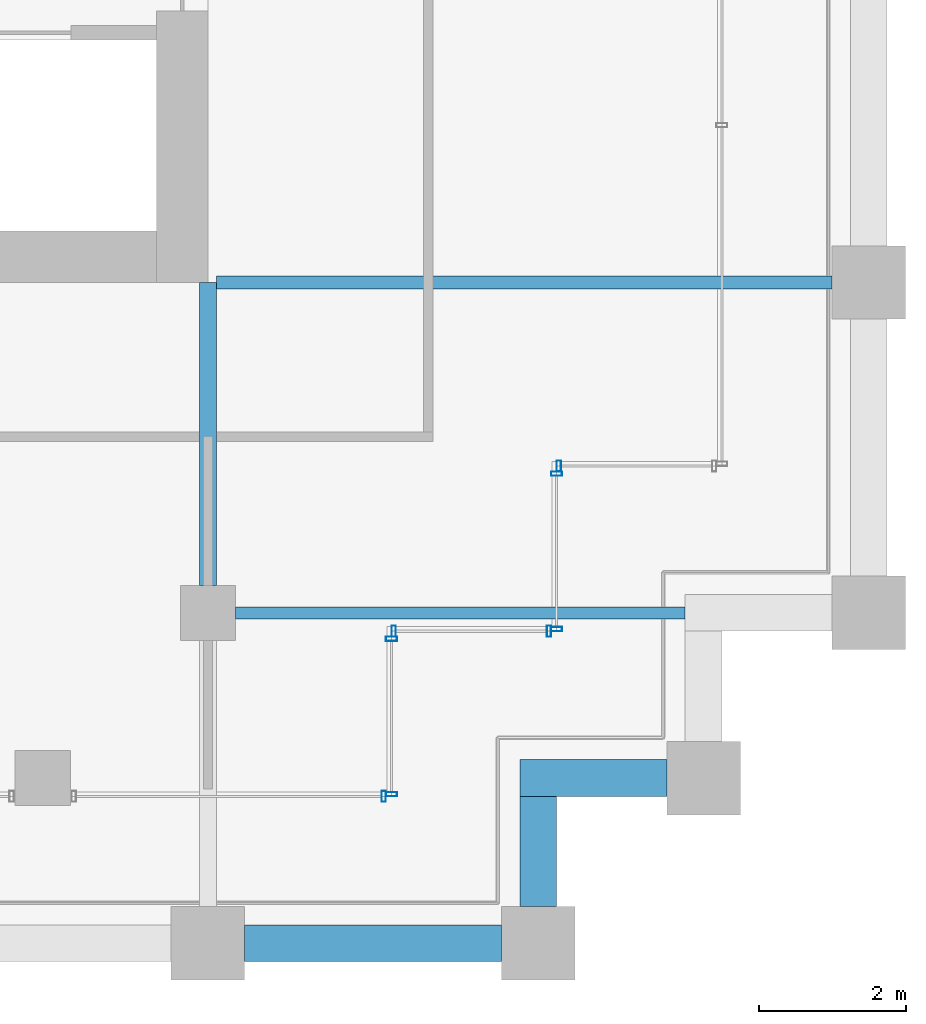
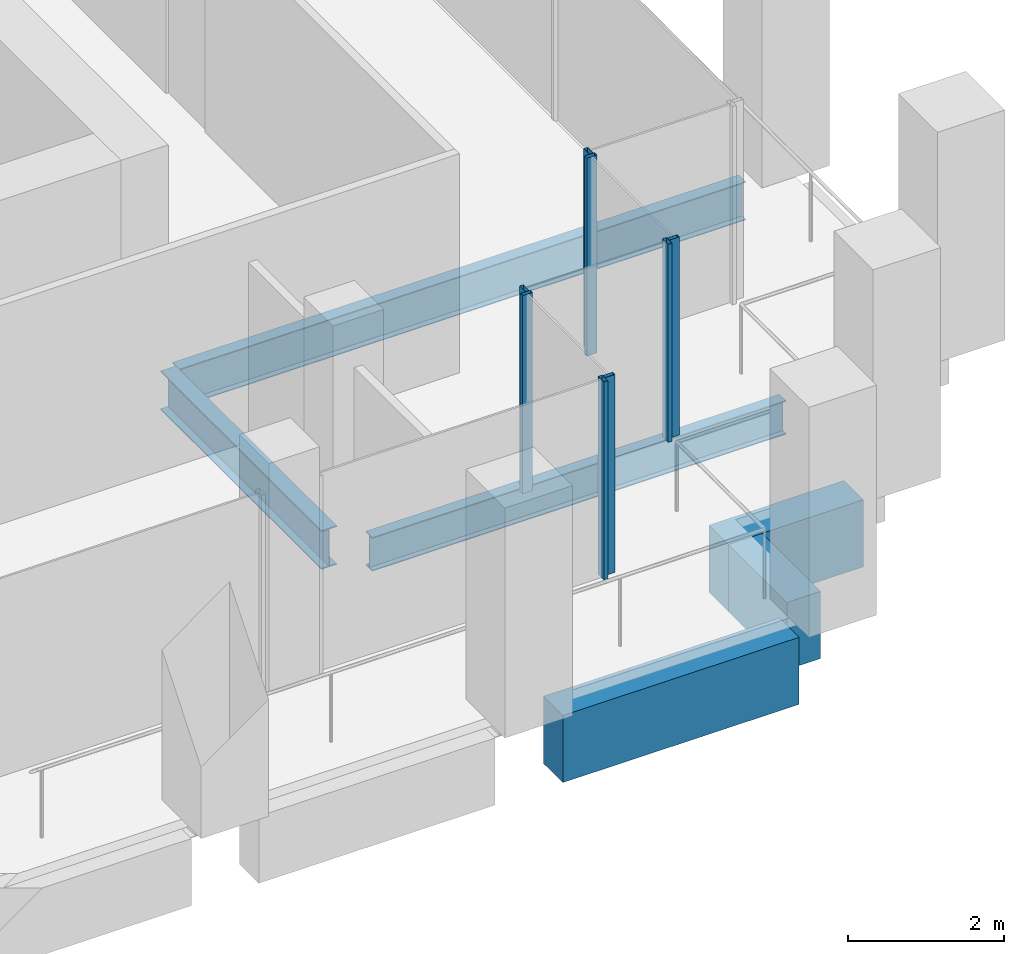
# One storey, part 32 of 46: 8 members, 6 beams, 5 elements without a shape of their own.
"""IFC4 building model written with IfcOpenShell, lengths in metres."""

from ifc_helpers import new_model, si_unit, direction, frame, origin, origin_2d, place, context, subcontext, project, spatial, rectangle, hollow_rectangle, i_section, extrude, material, material_profile, profile_set, type_object, element, aggregate, save


model = new_model("IFC4")

# Units and contexts
model_context = context("Model", 3, precision=1e-05, world=origin(), true_north=direction((0.0, 1.0)))
body_context = subcontext(model_context, "Body", "Model", "MODEL_VIEW")
ifc_project = project(units=[si_unit("LENGTHUNIT", "METRE"), si_unit("AREAUNIT", "SQUARE_METRE"), si_unit("VOLUMEUNIT", "CUBIC_METRE"), si_unit("PLANEANGLEUNIT", "RADIAN"), si_unit("MASSUNIT", "GRAM", prefix="KILO")], contexts=[model_context])

# Site, building, storey
site_placement = place(None, origin())
site = spatial("IfcSite", under=ifc_project, at=site_placement, CompositionType="ELEMENT")
building_placement = place(site_placement, origin())
building = spatial("IfcBuilding", under=site, at=building_placement, Name="Altepetl Exchange Towers", CompositionType="ELEMENT")
storey_placement = place(building_placement, frame((0.0, 0.0, 102.800048828125)))
storey = spatial("IfcBuildingStorey", under=building, at=storey_placement, Name="L25", CompositionType="ELEMENT", Elevation=102.800048828125)

# Beams
ifc_material_1 = material(Name="Steel S355", Category="steel")
ifc_material_profile_1 = material_profile(ifc_material_1, i_section(OverallWidth=0.166015625, OverallDepth=0.529052734375, WebThickness=0.009765625, FlangeThickness=0.013671875, at=origin_2d()), Name="W21X50")
ifc_profile_set_1 = profile_set([ifc_material_profile_1], Name="Steel S355")
beam_type_1 = type_object("IfcBeamType", Name="Floor beam W21X50", PredefinedType="BEAM", material=ifc_profile_set_1)
beam_1_placement = place(storey_placement, frame((117.375, 31.5, -0.41455078125), z_axis=(1.0, 0.0, 0.0), x_axis=(0.0, 1.0, 0.0)))
element("IfcBeam", 1, at=beam_1_placement, inside=storey, type_object=beam_type_1, Name="bm:B:L25:000", PredefinedType="BEAM", context=body_context, shape_type="SweptSolid", body=[
    extrude(i_section(OverallWidth=0.166015625, OverallDepth=0.529052734375, WebThickness=0.009765625, FlangeThickness=0.013671875, at=origin_2d()), origin(), (0.0, 0.0, 1.0), 6.125),
])
ifc_material_profile_2 = material_profile(ifc_material_1, i_section(OverallWidth=0.177978515625, OverallDepth=0.59912109375, WebThickness=0.010009765625, FlangeThickness=0.0126953125, at=origin_2d()), Name="W24X55")
ifc_profile_set_2 = profile_set([ifc_material_profile_2], Name="Steel S355")
beam_type_2 = type_object("IfcBeamType", Name="Floor beam W24X55", PredefinedType="BEAM", material=ifc_profile_set_2)
beam_2_placement = place(storey_placement, frame((117.114013671875, 36.0, -0.449462890625), z_axis=(1.0, 0.0, 0.0), x_axis=(0.0, 1.0, 0.0)))
element("IfcBeam", 2, at=beam_2_placement, inside=storey, type_object=beam_type_2, Name="bm:B:L25:001", PredefinedType="BEAM", context=body_context, shape_type="SweptSolid", body=[
    extrude(i_section(OverallWidth=0.177978515625, OverallDepth=0.59912109375, WebThickness=0.010009765625, FlangeThickness=0.0126953125, at=origin_2d()), origin(), (0.0, 0.0, 1.0), 8.385986328125),
])
ifc_material_profile_3 = material_profile(ifc_material_1, i_section(OverallWidth=0.22802734375, OverallDepth=0.60791015625, WebThickness=0.01123046875, FlangeThickness=0.017333984375, at=origin_2d()), Name="W24X76")
ifc_profile_set_3 = profile_set([ifc_material_profile_3], Name="Steel S355")
beam_type_3 = type_object("IfcBeamType", Name="Girder W24X76", PredefinedType="BEAM", material=ifc_profile_set_3)
beam_3_placement = place(storey_placement, frame((117.0, 36.0, -0.4541015625), z_axis=(0.0, -1.0, 0.0), x_axis=(1.0, 0.0, 0.0)))
element("IfcBeam", 3, at=beam_3_placement, inside=storey, type_object=beam_type_3, Name="gd:B:L25:000", PredefinedType="BEAM", context=body_context, shape_type="SweptSolid", body=[
    extrude(i_section(OverallWidth=0.22802734375, OverallDepth=0.60791015625, WebThickness=0.01123046875, FlangeThickness=0.017333984375, at=origin_2d()), origin(), (0.0, 0.0, 1.0), 4.125),
])

# Curtain wall, member
ifc_material_2 = material(Name="Aluminium 6063-T6 glazing", Category="aluminium")
curtain_wall_type = type_object("IfcCurtainWallType", Name="Loggia glazing system", PredefinedType="NOTDEFINED", material=ifc_material_2)
curtain_wall_1_placement = place(storey_placement, origin())
curtain_wall_1 = element("IfcCurtainWall", 4, at=curtain_wall_1_placement, inside=storey, type_object=curtain_wall_type, Name="CW1 run", PredefinedType="NOTDEFINED")
ifc_material_3 = material(Name="Aluminium 6063-T6", Category="aluminium")
ifc_material_profile_4 = material_profile(ifc_material_3, hollow_rectangle(XDim=0.06005859375, YDim=0.14990234375, WallThickness=0.0029296875, at=origin_2d()), Name="Mullion 60x150 aluminium")
ifc_profile_set_4 = profile_set([ifc_material_profile_4], Name="Aluminium 6063-T6")
member_type = type_object("IfcMemberType", Name="Mullion 60x150 aluminium", PredefinedType="MULLION", material=ifc_profile_set_4)
member_1_placement = place(storey_placement, frame((119.39501953125, 29.0, 0.0)))
member_1 = element("IfcMember", 5, at=member_1_placement, type_object=member_type, Name="MU1 mullion", PredefinedType="MULLION", context=body_context, shape_type="SweptSolid", body=[
    extrude(hollow_rectangle(XDim=0.06005859375, YDim=0.14990234375, WallThickness=0.0029296875, at=origin_2d()), origin(), (0.0, 0.0, 1.0), 3.099853515625),
])
aggregate(curtain_wall_1, [member_1])

# Curtain wall, members
curtain_wall_2_placement = place(storey_placement, origin())
curtain_wall_2 = element("IfcCurtainWall", 6, at=curtain_wall_2_placement, inside=storey, type_object=curtain_wall_type, Name="CW1 run", PredefinedType="NOTDEFINED")
member_2_placement = place(storey_placement, frame((119.5, 29.030029296875, 0.0), z_axis=(0.0, 0.0, 1.0), x_axis=(0.0, 1.0, 0.0)))
member_2 = element("IfcMember", 7, at=member_2_placement, type_object=member_type, Name="MU1 mullion", PredefinedType="MULLION", context=body_context, shape_type="SweptSolid", body=[
    extrude(hollow_rectangle(XDim=0.06005859375, YDim=0.14990234375, WallThickness=0.0029296875, at=origin_2d()), origin(), (0.0, 0.0, 1.0), 3.099853515625),
])
member_3_placement = place(storey_placement, frame((119.5, 31.14501953125, 0.0), z_axis=(0.0, 0.0, 1.0), x_axis=(0.0, 1.0, 0.0)))
member_3 = element("IfcMember", 8, at=member_3_placement, type_object=member_type, Name="MU1 mullion", PredefinedType="MULLION", context=body_context, shape_type="SweptSolid", body=[
    extrude(hollow_rectangle(XDim=0.06005859375, YDim=0.14990234375, WallThickness=0.0029296875, at=origin_2d()), origin(), (0.0, 0.0, 1.0), 3.099853515625),
])
aggregate(curtain_wall_2, [member_2, member_3])

curtain_wall_3_placement = place(storey_placement, origin())
curtain_wall_3 = element("IfcCurtainWall", 9, at=curtain_wall_3_placement, inside=storey, type_object=curtain_wall_type, Name="CW1 run", PredefinedType="NOTDEFINED")
member_4_placement = place(storey_placement, frame((119.530029296875, 31.25, 0.0)))
member_4 = element("IfcMember", 10, at=member_4_placement, type_object=member_type, Name="MU1 mullion", PredefinedType="MULLION", context=body_context, shape_type="SweptSolid", body=[
    extrude(hollow_rectangle(XDim=0.06005859375, YDim=0.14990234375, WallThickness=0.0029296875, at=origin_2d()), origin(), (0.0, 0.0, 1.0), 3.099853515625),
])
member_5_placement = place(storey_placement, frame((121.64501953125, 31.25, 0.0)))
member_5 = element("IfcMember", 11, at=member_5_placement, type_object=member_type, Name="MU1 mullion", PredefinedType="MULLION", context=body_context, shape_type="SweptSolid", body=[
    extrude(hollow_rectangle(XDim=0.06005859375, YDim=0.14990234375, WallThickness=0.0029296875, at=origin_2d()), origin(), (0.0, 0.0, 1.0), 3.099853515625),
])
aggregate(curtain_wall_3, [member_4, member_5])

curtain_wall_4_placement = place(storey_placement, origin())
curtain_wall_4 = element("IfcCurtainWall", 12, at=curtain_wall_4_placement, inside=storey, type_object=curtain_wall_type, Name="CW1 run", PredefinedType="NOTDEFINED")
member_6_placement = place(storey_placement, frame((121.75, 31.280029296875, 0.0), z_axis=(0.0, 0.0, 1.0), x_axis=(0.0, 1.0, 0.0)))
member_6 = element("IfcMember", 13, at=member_6_placement, type_object=member_type, Name="MU1 mullion", PredefinedType="MULLION", context=body_context, shape_type="SweptSolid", body=[
    extrude(hollow_rectangle(XDim=0.06005859375, YDim=0.14990234375, WallThickness=0.0029296875, at=origin_2d()), origin(), (0.0, 0.0, 1.0), 3.099853515625),
])
member_7_placement = place(storey_placement, frame((121.75, 33.39501953125, 0.0), z_axis=(0.0, 0.0, 1.0), x_axis=(0.0, 1.0, 0.0)))
member_7 = element("IfcMember", 14, at=member_7_placement, type_object=member_type, Name="MU1 mullion", PredefinedType="MULLION", context=body_context, shape_type="SweptSolid", body=[
    extrude(hollow_rectangle(XDim=0.06005859375, YDim=0.14990234375, WallThickness=0.0029296875, at=origin_2d()), origin(), (0.0, 0.0, 1.0), 3.099853515625),
])
aggregate(curtain_wall_4, [member_6, member_7])

# Curtain wall, member
curtain_wall_5_placement = place(storey_placement, origin())
curtain_wall_5 = element("IfcCurtainWall", 15, at=curtain_wall_5_placement, inside=storey, type_object=curtain_wall_type, Name="CW1 run", PredefinedType="NOTDEFINED")
member_8_placement = place(storey_placement, frame((121.780029296875, 33.5, 0.0)))
member_8 = element("IfcMember", 16, at=member_8_placement, type_object=member_type, Name="MU1 mullion", PredefinedType="MULLION", context=body_context, shape_type="SweptSolid", body=[
    extrude(hollow_rectangle(XDim=0.06005859375, YDim=0.14990234375, WallThickness=0.0029296875, at=origin_2d()), origin(), (0.0, 0.0, 1.0), 3.099853515625),
])
aggregate(curtain_wall_5, [member_8])

# Beams
ifc_material_4 = material(Name="Concrete C50/60 precast with cantera blanca facing", Category="concrete")
ifc_material_profile_5 = material_profile(ifc_material_4, rectangle(XDim=0.5, YDim=1.050048828125, at=origin_2d()), Name="500 x 1050")
ifc_profile_set_5 = profile_set([ifc_material_profile_5], Name="Concrete C50/60 precast with cantera blanca facing")
beam_type_4 = type_object("IfcBeamType", Name="Spandrel beam 500x1050 cantera blanca", PredefinedType="SPANDREL", material=ifc_profile_set_5)
beam_4_placement = place(storey_placement, frame((117.5, 27.0, -0.675048828125), z_axis=(1.0, 0.0, 0.0), x_axis=(0.0, 1.0, 0.0)))
element("IfcBeam", 17, at=beam_4_placement, inside=storey, type_object=beam_type_4, Name="sp:B:L25:004", PredefinedType="SPANDREL", context=body_context, shape_type="SweptSolid", body=[
    extrude(rectangle(XDim=0.5, YDim=1.050048828125, at=origin_2d()), origin(), (0.0, 0.0, 1.0), 3.5),
])
beam_5_placement = place(storey_placement, frame((121.5, 27.5, -0.675048828125), z_axis=(0.0, 1.0, 0.0), x_axis=(-1.0, 0.0, 0.0)))
element("IfcBeam", 18, at=beam_5_placement, inside=storey, type_object=beam_type_4, Name="sp:B:L25:005", PredefinedType="SPANDREL", context=body_context, shape_type="SweptSolid", body=[
    extrude(rectangle(XDim=0.5, YDim=1.050048828125, at=origin_2d()), origin(), (0.0, 0.0, 1.0), 1.5),
])
beam_6_placement = place(storey_placement, frame((121.25, 29.25, -0.675048828125), z_axis=(1.0, 0.0, 0.0), x_axis=(0.0, 1.0, 0.0)))
element("IfcBeam", 19, at=beam_6_placement, inside=storey, type_object=beam_type_4, Name="sp:B:L25:006", PredefinedType="SPANDREL", context=body_context, shape_type="SweptSolid", body=[
    extrude(rectangle(XDim=0.5, YDim=1.050048828125, at=origin_2d()), origin(), (0.0, 0.0, 1.0), 2.0),
])

save(model, "model.ifc")
